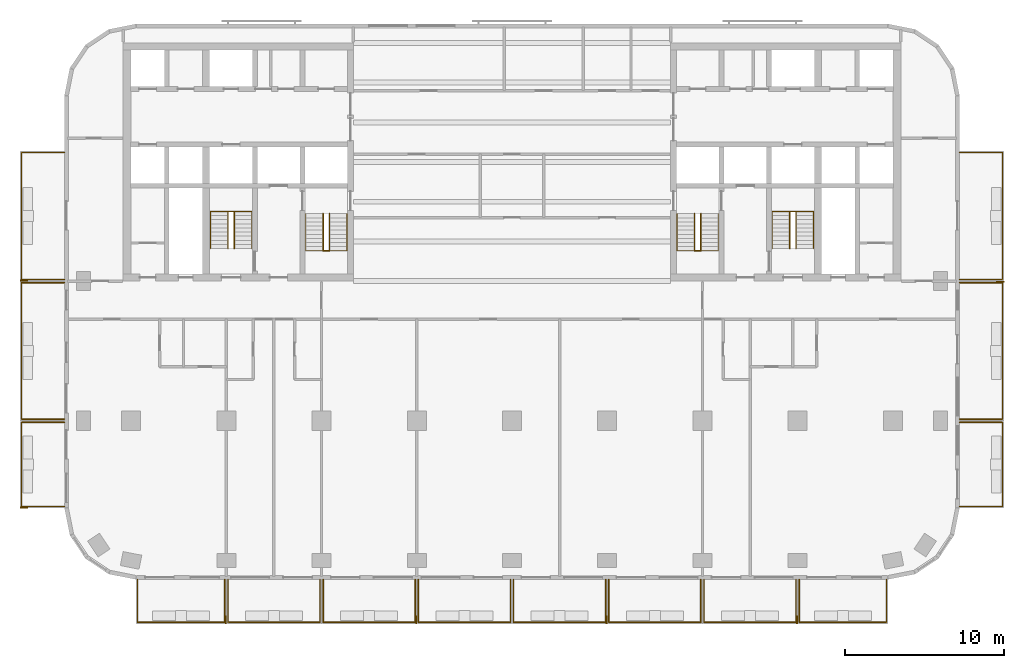
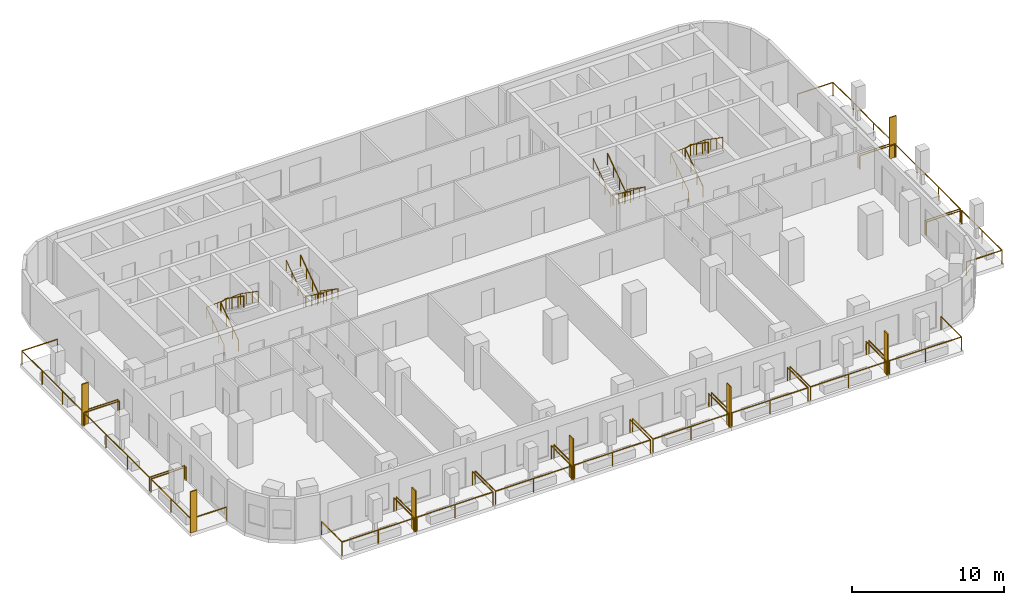
# One storey, part 9 of 11: 22 railings, 7 shading devices.
"""IFC4 building model written with IfcOpenShell, lengths in metres."""

from ifc_helpers import new_model, si_unit, direction, frame, origin, origin_2d, place, context, subcontext, project, spatial, rectangle, circle, extrude, material, layer, layer_set, type_object, element, save


model = new_model("IFC4")

# Units and contexts
model_context = context("Model", 3, precision=1e-05, world=origin(), true_north=direction((0.0, 1.0)))
body_context = subcontext(model_context, "Body", "Model", "MODEL_VIEW")
ifc_project = project(units=[si_unit("LENGTHUNIT", "METRE"), si_unit("AREAUNIT", "SQUARE_METRE"), si_unit("VOLUMEUNIT", "CUBIC_METRE"), si_unit("PLANEANGLEUNIT", "RADIAN"), si_unit("MASSUNIT", "GRAM", prefix="KILO")], contexts=[model_context])

# Site, building, storey
site_placement = place(None, origin())
site = spatial("IfcSite", under=ifc_project, at=site_placement, CompositionType="ELEMENT")
building_placement = place(site_placement, origin())
building = spatial("IfcBuilding", under=site, at=building_placement, Name="Torana Hotel and Residences", CompositionType="ELEMENT")
storey_placement = place(building_placement, frame((0.0, 0.0, 138.0)))
storey = spatial("IfcBuildingStorey", under=building, at=storey_placement, Name="L35", CompositionType="ELEMENT", Elevation=138.0)

# Shading devices
ifc_material_1 = material(Name="Black powder coated aluminium", Category="aluminium")
ifc_layer = layer(ifc_material_1, 0.080078125)
ifc_layer_set = layer_set([ifc_layer], Name="FN1 VERTICAL FIN 500x80")
shading_device_type = type_object("IfcShadingDeviceType", Name="FN1 VERTICAL FIN 500x80", PredefinedType="USERDEFINED", material=ifc_layer_set)
for number, where, z_axis, x_axis, name in (
    (1, (-18.0400390625, -36.35009765625, 0.0), (0.0, 0.0, 1.0), (-1.0, 0.0, 0.0), "Fin 01"),
    (2, (-6.0400390625, -36.35009765625, 0.0), (0.0, 0.0, 1.0), (-1.0, 0.0, 0.0), "Fin 03"),
    (3, (5.9599609375, -36.35009765625, 0.0), (0.0, 0.0, 1.0), (-1.0, 0.0, 0.0), "Fin 05"),
    (4, (17.9599609375, -36.35009765625, 0.0), (0.0, 0.0, 1.0), (-1.0, 0.0, 0.0), "Fin 07"),
    (5, (-30.75, -29.260009765625, 0.0), (0.0, 0.0, 1.0), (0.0, 1.0, 0.0), "Fin 09"),
    (6, (-30.75, -14.9599609375, 0.0), (0.0, 0.0, 1.0), (0.0, 1.0, 0.0), "Fin 11"),
    (7, (30.75, -15.0400390625, 0.0), (0.0, 0.0, 1.0), (0.0, -1.0, 0.0), "Fin 13"),
):
    element("IfcShadingDevice", number, at=place(storey_placement, frame(where, z_axis=z_axis, x_axis=x_axis)), inside=storey, type_object=shading_device_type, Name=name, ObjectType="FIN", PredefinedType="USERDEFINED", context=body_context, shape_type="SweptSolid", body=[
        extrude(rectangle(XDim=0.080078125, YDim=0.5, at=origin_2d()), origin(), (0.0, 0.0, 1.0), 3.320068359375),
    ])

# Railings
ifc_material_2 = material(Name="Laminated glass balustrade with black handrail", Category="glass")
railing_type_1 = type_object("IfcRailingType", Name="GR1 BALCONY GUARD 1100 GLASS", PredefinedType="GUARDRAIL", material=ifc_material_2)
railing_1_placement = place(storey_placement, frame((-18.10009765625, -33.800048828125, 0.0)))
element("IfcRailing", 8, at=railing_1_placement, inside=storey, type_object=railing_type_1, Name="Balcony guard 01", PredefinedType="GUARDRAIL", context=body_context, shape_type="SweptSolid", body=[
    extrude(circle(Radius=0.02392578125, at=origin_2d()), frame((0.0, 0.0, 1.076171875), z_axis=(0.0, -1.0, 0.0), x_axis=(1.0, 0.0, 0.0)), (0.0, 0.0, 1.0), 2.699951171875),
    extrude(circle(Radius=0.02392578125, at=origin_2d()), frame((0.0, -2.699951171875, 1.076171875), z_axis=(-1.0, 0.0, 0.0), x_axis=(0.0, -1.0, 0.0)), (0.0, 0.0, 1.0), 5.5),
    extrude(circle(Radius=0.02392578125, at=origin_2d()), frame((-5.5, -2.699951171875, 1.076171875), z_axis=(0.0, 1.0, 0.0), x_axis=(-1.0, 0.0, 0.0)), (0.0, 0.0, 1.0), 2.699951171875),
    extrude(circle(Radius=0.02099609375, at=origin_2d()), origin(), (0.0, 0.0, 1.0), 1.052001953125),
    extrude(circle(Radius=0.02099609375, at=origin_2d()), frame((0.0, -2.699951171875, 0.0)), (0.0, 0.0, 1.0), 1.052001953125),
    extrude(circle(Radius=0.02099609375, at=origin_2d()), frame((-2.75, -2.699951171875, 0.0)), (0.0, 0.0, 1.0), 1.052001953125),
    extrude(circle(Radius=0.02099609375, at=origin_2d()), frame((-5.5, -2.699951171875, 0.0)), (0.0, 0.0, 1.0), 1.052001953125),
    extrude(circle(Radius=0.02099609375, at=origin_2d()), frame((-5.5, 0.0, 0.0)), (0.0, 0.0, 1.0), 1.052001953125),
])
for number, where, name in (
    (9, (-12.10009765625, -33.800048828125, 0.0), "Balcony guard 02"),
    (10, (-6.10009765625, -33.800048828125, 0.0), "Balcony guard 03"),
    (11, (-0.10009765625, -33.800048828125, 0.0), "Balcony guard 04"),
    (12, (5.89990234375, -33.800048828125, 0.0), "Balcony guard 05"),
    (13, (11.89990234375, -33.800048828125, 0.0), "Balcony guard 06"),
    (14, (17.89990234375, -33.800048828125, 0.0), "Balcony guard 07"),
):
    element("IfcRailing", number, at=place(storey_placement, frame(where)), inside=storey, type_object=railing_type_1, Name=name, PredefinedType="GUARDRAIL", context=body_context, shape_type="SweptSolid", body=[
        extrude(circle(Radius=0.02392578125, at=origin_2d()), frame((0.0, 0.0, 1.076171875), z_axis=(0.0, -1.0, 0.0), x_axis=(1.0, 0.0, 0.0)), (0.0, 0.0, 1.0), 2.699951171875),
        extrude(circle(Radius=0.02392578125, at=origin_2d()), frame((0.0, -2.699951171875, 1.076171875), z_axis=(-1.0, 0.0, 0.0), x_axis=(0.0, -1.0, 0.0)), (0.0, 0.0, 1.0), 5.7998046875),
        extrude(circle(Radius=0.02392578125, at=origin_2d()), frame((-5.7998046875, -2.699951171875, 1.076171875), z_axis=(0.0, 1.0, 0.0), x_axis=(-1.0, 0.0, 0.0)), (0.0, 0.0, 1.0), 2.699951171875),
        extrude(circle(Radius=0.02099609375, at=origin_2d()), origin(), (0.0, 0.0, 1.0), 1.052001953125),
        extrude(circle(Radius=0.02099609375, at=origin_2d()), frame((0.0, -2.699951171875, 0.0)), (0.0, 0.0, 1.0), 1.052001953125),
        extrude(circle(Radius=0.02099609375, at=origin_2d()), frame((-2.89990234375, -2.699951171875, 0.0)), (0.0, 0.0, 1.0), 1.052001953125),
        extrude(circle(Radius=0.02099609375, at=origin_2d()), frame((-5.7998046875, -2.699951171875, 0.0)), (0.0, 0.0, 1.0), 1.052001953125),
        extrude(circle(Radius=0.02099609375, at=origin_2d()), frame((-5.7998046875, 0.0, 0.0)), (0.0, 0.0, 1.0), 1.052001953125),
    ])
railing_2_placement = place(storey_placement, frame((23.60009765625, -33.800048828125, 0.0)))
element("IfcRailing", 15, at=railing_2_placement, inside=storey, type_object=railing_type_1, Name="Balcony guard 08", PredefinedType="GUARDRAIL", context=body_context, shape_type="SweptSolid", body=[
    extrude(circle(Radius=0.02392578125, at=origin_2d()), frame((0.0, 0.0, 1.076171875), z_axis=(0.0, -1.0, 0.0), x_axis=(1.0, 0.0, 0.0)), (0.0, 0.0, 1.0), 2.699951171875),
    extrude(circle(Radius=0.02392578125, at=origin_2d()), frame((0.0, -2.699951171875, 1.076171875), z_axis=(-1.0, 0.0, 0.0), x_axis=(0.0, -1.0, 0.0)), (0.0, 0.0, 1.0), 5.5),
    extrude(circle(Radius=0.02392578125, at=origin_2d()), frame((-5.5, -2.699951171875, 1.076171875), z_axis=(0.0, 1.0, 0.0), x_axis=(-1.0, 0.0, 0.0)), (0.0, 0.0, 1.0), 2.699951171875),
    extrude(circle(Radius=0.02099609375, at=origin_2d()), origin(), (0.0, 0.0, 1.0), 1.052001953125),
    extrude(circle(Radius=0.02099609375, at=origin_2d()), frame((0.0, -2.699951171875, 0.0)), (0.0, 0.0, 1.0), 1.052001953125),
    extrude(circle(Radius=0.02099609375, at=origin_2d()), frame((-2.75, -2.699951171875, 0.0)), (0.0, 0.0, 1.0), 1.052001953125),
    extrude(circle(Radius=0.02099609375, at=origin_2d()), frame((-5.5, -2.699951171875, 0.0)), (0.0, 0.0, 1.0), 1.052001953125),
    extrude(circle(Radius=0.02099609375, at=origin_2d()), frame((-5.5, 0.0, 0.0)), (0.0, 0.0, 1.0), 1.052001953125),
])
railing_3_placement = place(storey_placement, frame((-28.199951171875, -29.199951171875, 0.0)))
element("IfcRailing", 16, at=railing_3_placement, inside=storey, type_object=railing_type_1, Name="Balcony guard 09", PredefinedType="GUARDRAIL", context=body_context, shape_type="SweptSolid", body=[
    extrude(circle(Radius=0.02392578125, at=origin_2d()), frame((0.0, 0.0, 1.076171875), z_axis=(-1.0, 0.0, 0.0), x_axis=(0.0, -1.0, 0.0)), (0.0, 0.0, 1.0), 2.699951171875),
    extrude(circle(Radius=0.02392578125, at=origin_2d()), frame((-2.699951171875, 0.0, 1.076171875), z_axis=(0.0, 1.0, 0.0), x_axis=(-1.0, 0.0, 0.0)), (0.0, 0.0, 1.0), 5.300048828125),
    extrude(circle(Radius=0.02392578125, at=origin_2d()), frame((-2.699951171875, 5.300048828125, 1.076171875), z_axis=(1.0, 0.0, 0.0), x_axis=(0.0, 1.0, 0.0)), (0.0, 0.0, 1.0), 2.699951171875),
    extrude(circle(Radius=0.02099609375, at=origin_2d()), origin(), (0.0, 0.0, 1.0), 1.052001953125),
    extrude(circle(Radius=0.02099609375, at=origin_2d()), frame((-2.699951171875, 0.0, 0.0)), (0.0, 0.0, 1.0), 1.052001953125),
    extrude(circle(Radius=0.02099609375, at=origin_2d()), frame((-2.699951171875, 2.64990234375, 0.0)), (0.0, 0.0, 1.0), 1.052001953125),
    extrude(circle(Radius=0.02099609375, at=origin_2d()), frame((-2.699951171875, 5.300048828125, 0.0)), (0.0, 0.0, 1.0), 1.052001953125),
    extrude(circle(Radius=0.02099609375, at=origin_2d()), frame((0.0, 5.300048828125, 0.0)), (0.0, 0.0, 1.0), 1.052001953125),
])
railing_4_placement = place(storey_placement, frame((-28.199951171875, -23.699951171875, 0.0)))
element("IfcRailing", 17, at=railing_4_placement, inside=storey, type_object=railing_type_1, Name="Balcony guard 10", PredefinedType="GUARDRAIL", context=body_context, shape_type="SweptSolid", body=[
    extrude(circle(Radius=0.02392578125, at=origin_2d()), frame((0.0, 0.0, 1.076171875), z_axis=(-1.0, 0.0, 0.0), x_axis=(0.0, -1.0, 0.0)), (0.0, 0.0, 1.0), 2.699951171875),
    extrude(circle(Radius=0.02392578125, at=origin_2d()), frame((-2.699951171875, 0.0, 1.076171875), z_axis=(0.0, 1.0, 0.0), x_axis=(-1.0, 0.0, 0.0)), (0.0, 0.0, 1.0), 8.599853515625),
    extrude(circle(Radius=0.02392578125, at=origin_2d()), frame((-2.699951171875, 8.599853515625, 1.076171875), z_axis=(1.0, 0.0, 0.0), x_axis=(0.0, 1.0, 0.0)), (0.0, 0.0, 1.0), 2.699951171875),
    extrude(circle(Radius=0.02099609375, at=origin_2d()), origin(), (0.0, 0.0, 1.0), 1.052001953125),
    extrude(circle(Radius=0.02099609375, at=origin_2d()), frame((-2.699951171875, 0.0, 0.0)), (0.0, 0.0, 1.0), 1.052001953125),
    extrude(circle(Radius=0.02099609375, at=origin_2d()), frame((-2.699951171875, 2.86669921875, 0.0)), (0.0, 0.0, 1.0), 1.052001953125),
    extrude(circle(Radius=0.02099609375, at=origin_2d()), frame((-2.699951171875, 5.733154296875, 0.0)), (0.0, 0.0, 1.0), 1.052001953125),
    extrude(circle(Radius=0.02099609375, at=origin_2d()), frame((-2.699951171875, 8.599853515625, 0.0)), (0.0, 0.0, 1.0), 1.052001953125),
    extrude(circle(Radius=0.02099609375, at=origin_2d()), frame((0.0, 8.599853515625, 0.0)), (0.0, 0.0, 1.0), 1.052001953125),
])
railing_5_placement = place(storey_placement, frame((-28.199951171875, -14.89990234375, 0.0)))
element("IfcRailing", 18, at=railing_5_placement, inside=storey, type_object=railing_type_1, Name="Balcony guard 11", PredefinedType="GUARDRAIL", context=body_context, shape_type="SweptSolid", body=[
    extrude(circle(Radius=0.02392578125, at=origin_2d()), frame((0.0, 0.0, 1.076171875), z_axis=(-1.0, 0.0, 0.0), x_axis=(0.0, -1.0, 0.0)), (0.0, 0.0, 1.0), 2.699951171875),
    extrude(circle(Radius=0.02392578125, at=origin_2d()), frame((-2.699951171875, 0.0, 1.076171875), z_axis=(0.0, 1.0, 0.0), x_axis=(-1.0, 0.0, 0.0)), (0.0, 0.0, 1.0), 8.0),
    extrude(circle(Radius=0.02392578125, at=origin_2d()), frame((-2.699951171875, 8.0, 1.076171875), z_axis=(1.0, 0.0, 0.0), x_axis=(0.0, 1.0, 0.0)), (0.0, 0.0, 1.0), 2.699951171875),
    extrude(circle(Radius=0.02099609375, at=origin_2d()), origin(), (0.0, 0.0, 1.0), 1.052001953125),
    extrude(circle(Radius=0.02099609375, at=origin_2d()), frame((-2.699951171875, 0.0, 0.0)), (0.0, 0.0, 1.0), 1.052001953125),
    extrude(circle(Radius=0.02099609375, at=origin_2d()), frame((-2.699951171875, 2.666748046875, 0.0)), (0.0, 0.0, 1.0), 1.052001953125),
    extrude(circle(Radius=0.02099609375, at=origin_2d()), frame((-2.699951171875, 5.333251953125, 0.0)), (0.0, 0.0, 1.0), 1.052001953125),
    extrude(circle(Radius=0.02099609375, at=origin_2d()), frame((-2.699951171875, 8.0, 0.0)), (0.0, 0.0, 1.0), 1.052001953125),
    extrude(circle(Radius=0.02099609375, at=origin_2d()), frame((0.0, 8.0, 0.0)), (0.0, 0.0, 1.0), 1.052001953125),
])
railing_6_placement = place(storey_placement, frame((28.199951171875, -23.89990234375, 0.0)))
element("IfcRailing", 19, at=railing_6_placement, inside=storey, type_object=railing_type_1, Name="Balcony guard 12", PredefinedType="GUARDRAIL", context=body_context, shape_type="SweptSolid", body=[
    extrude(circle(Radius=0.02392578125, at=origin_2d()), frame((0.0, 0.0, 1.076171875), z_axis=(1.0, 0.0, 0.0), x_axis=(0.0, 1.0, 0.0)), (0.0, 0.0, 1.0), 2.699951171875),
    extrude(circle(Radius=0.02392578125, at=origin_2d()), frame((2.699951171875, 0.0, 1.076171875), z_axis=(0.0, -1.0, 0.0), x_axis=(1.0, 0.0, 0.0)), (0.0, 0.0, 1.0), 5.300048828125),
    extrude(circle(Radius=0.02392578125, at=origin_2d()), frame((2.699951171875, -5.300048828125, 1.076171875), z_axis=(-1.0, 0.0, 0.0), x_axis=(0.0, -1.0, 0.0)), (0.0, 0.0, 1.0), 2.699951171875),
    extrude(circle(Radius=0.02099609375, at=origin_2d()), origin(), (0.0, 0.0, 1.0), 1.052001953125),
    extrude(circle(Radius=0.02099609375, at=origin_2d()), frame((2.699951171875, 0.0, 0.0)), (0.0, 0.0, 1.0), 1.052001953125),
    extrude(circle(Radius=0.02099609375, at=origin_2d()), frame((2.699951171875, -2.64990234375, 0.0)), (0.0, 0.0, 1.0), 1.052001953125),
    extrude(circle(Radius=0.02099609375, at=origin_2d()), frame((2.699951171875, -5.300048828125, 0.0)), (0.0, 0.0, 1.0), 1.052001953125),
    extrude(circle(Radius=0.02099609375, at=origin_2d()), frame((0.0, -5.300048828125, 0.0)), (0.0, 0.0, 1.0), 1.052001953125),
])
railing_7_placement = place(storey_placement, frame((28.199951171875, -15.10009765625, 0.0)))
element("IfcRailing", 20, at=railing_7_placement, inside=storey, type_object=railing_type_1, Name="Balcony guard 13", PredefinedType="GUARDRAIL", context=body_context, shape_type="SweptSolid", body=[
    extrude(circle(Radius=0.02392578125, at=origin_2d()), frame((0.0, 0.0, 1.076171875), z_axis=(1.0, 0.0, 0.0), x_axis=(0.0, 1.0, 0.0)), (0.0, 0.0, 1.0), 2.699951171875),
    extrude(circle(Radius=0.02392578125, at=origin_2d()), frame((2.699951171875, 0.0, 1.076171875), z_axis=(0.0, -1.0, 0.0), x_axis=(1.0, 0.0, 0.0)), (0.0, 0.0, 1.0), 8.599853515625),
    extrude(circle(Radius=0.02392578125, at=origin_2d()), frame((2.699951171875, -8.599853515625, 1.076171875), z_axis=(-1.0, 0.0, 0.0), x_axis=(0.0, -1.0, 0.0)), (0.0, 0.0, 1.0), 2.699951171875),
    extrude(circle(Radius=0.02099609375, at=origin_2d()), origin(), (0.0, 0.0, 1.0), 1.052001953125),
    extrude(circle(Radius=0.02099609375, at=origin_2d()), frame((2.699951171875, 0.0, 0.0)), (0.0, 0.0, 1.0), 1.052001953125),
    extrude(circle(Radius=0.02099609375, at=origin_2d()), frame((2.699951171875, -2.86669921875, 0.0)), (0.0, 0.0, 1.0), 1.052001953125),
    extrude(circle(Radius=0.02099609375, at=origin_2d()), frame((2.699951171875, -5.733154296875, 0.0)), (0.0, 0.0, 1.0), 1.052001953125),
    extrude(circle(Radius=0.02099609375, at=origin_2d()), frame((2.699951171875, -8.599853515625, 0.0)), (0.0, 0.0, 1.0), 1.052001953125),
    extrude(circle(Radius=0.02099609375, at=origin_2d()), frame((0.0, -8.599853515625, 0.0)), (0.0, 0.0, 1.0), 1.052001953125),
])
railing_8_placement = place(storey_placement, frame((28.199951171875, -6.89990234375, 0.0)))
element("IfcRailing", 21, at=railing_8_placement, inside=storey, type_object=railing_type_1, Name="Balcony guard 14", PredefinedType="GUARDRAIL", context=body_context, shape_type="SweptSolid", body=[
    extrude(circle(Radius=0.02392578125, at=origin_2d()), frame((0.0, 0.0, 1.076171875), z_axis=(1.0, 0.0, 0.0), x_axis=(0.0, 1.0, 0.0)), (0.0, 0.0, 1.0), 2.699951171875),
    extrude(circle(Radius=0.02392578125, at=origin_2d()), frame((2.699951171875, 0.0, 1.076171875), z_axis=(0.0, -1.0, 0.0), x_axis=(1.0, 0.0, 0.0)), (0.0, 0.0, 1.0), 8.0),
    extrude(circle(Radius=0.02392578125, at=origin_2d()), frame((2.699951171875, -8.0, 1.076171875), z_axis=(-1.0, 0.0, 0.0), x_axis=(0.0, -1.0, 0.0)), (0.0, 0.0, 1.0), 2.699951171875),
    extrude(circle(Radius=0.02099609375, at=origin_2d()), origin(), (0.0, 0.0, 1.0), 1.052001953125),
    extrude(circle(Radius=0.02099609375, at=origin_2d()), frame((2.699951171875, 0.0, 0.0)), (0.0, 0.0, 1.0), 1.052001953125),
    extrude(circle(Radius=0.02099609375, at=origin_2d()), frame((2.699951171875, -2.666748046875, 0.0)), (0.0, 0.0, 1.0), 1.052001953125),
    extrude(circle(Radius=0.02099609375, at=origin_2d()), frame((2.699951171875, -5.333251953125, 0.0)), (0.0, 0.0, 1.0), 1.052001953125),
    extrude(circle(Radius=0.02099609375, at=origin_2d()), frame((2.699951171875, -8.0, 0.0)), (0.0, 0.0, 1.0), 1.052001953125),
    extrude(circle(Radius=0.02099609375, at=origin_2d()), frame((0.0, -8.0, 0.0)), (0.0, 0.0, 1.0), 1.052001953125),
])
ifc_material_3 = material(Name="Stainless steel 316", Category="steel")
railing_type_2 = type_object("IfcRailingType", Name="STAIR HANDRAIL HR1 900", PredefinedType="HANDRAIL", material=ifc_material_3)
railing_9_placement = place(storey_placement, frame((-10.39990234375, -10.75, 0.179931640625)))
element("IfcRailing", 22, at=railing_9_placement, inside=storey, type_object=railing_type_2, Name="Handrail ST1 L35 O1", PredefinedType="HANDRAIL", context=body_context, shape_type="SweptSolid", body=[
    extrude(circle(Radius=0.02392578125, at=origin_2d()), frame((0.0, 0.0, 0.8759765625), z_axis=(0.0, -0.822182927502, 0.569223360136), x_axis=(1.0, 0.0, 0.0)), (0.0, 0.0, 1.0), 2.84619140625),
    extrude(circle(Radius=0.02392578125, at=origin_2d()), frame((0.0, -2.340087890625, 2.49609375), z_axis=(-0.997614115953, 0.0, 0.069036770278), x_axis=(0.0, -1.0, 0.0)), (0.0, 0.0, 1.0), 2.606201171875),
    extrude(circle(Radius=0.02392578125, at=origin_2d()), frame((-2.60009765625, -2.340087890625, 2.67578125), z_axis=(0.0, 0.822182927502, 0.569223360136), x_axis=(-1.0, 0.0, 0.0)), (0.0, 0.0, 1.0), 2.84619140625),
    extrude(circle(Radius=0.02099609375, at=origin_2d()), origin(), (0.0, 0.0, 1.0), 0.851806640625),
    extrude(circle(Radius=0.02099609375, at=origin_2d()), frame((0.0, -0.780029296875, 0.5400390625)), (0.0, 0.0, 1.0), 0.851806640625),
    extrude(circle(Radius=0.02099609375, at=origin_2d()), frame((0.0, -1.56005859375, 1.080078125)), (0.0, 0.0, 1.0), 0.851806640625),
    extrude(circle(Radius=0.02099609375, at=origin_2d()), frame((0.0, -2.340087890625, 1.6201171875)), (0.0, 0.0, 1.0), 0.851806640625),
    extrude(circle(Radius=0.02099609375, at=origin_2d()), frame((-0.86669921875, -2.340087890625, 1.68017578125)), (0.0, 0.0, 1.0), 0.851806640625),
    extrude(circle(Radius=0.02099609375, at=origin_2d()), frame((-1.7333984375, -2.340087890625, 1.739990234375)), (0.0, 0.0, 1.0), 0.851806640625),
    extrude(circle(Radius=0.02099609375, at=origin_2d()), frame((-2.60009765625, -2.340087890625, 1.800048828125)), (0.0, 0.0, 1.0), 0.851806640625),
    extrude(circle(Radius=0.02099609375, at=origin_2d()), frame((-2.60009765625, -1.56005859375, 2.340087890625)), (0.0, 0.0, 1.0), 0.851806640625),
    extrude(circle(Radius=0.02099609375, at=origin_2d()), frame((-2.60009765625, -0.780029296875, 2.880126953125)), (0.0, 0.0, 1.0), 0.851806640625),
    extrude(circle(Radius=0.02099609375, at=origin_2d()), frame((-2.60009765625, 0.0, 3.420166015625)), (0.0, 0.0, 1.0), 0.851806640625),
])
railing_10_placement = place(storey_placement, frame((-11.5, -10.75, 0.179931640625)))
element("IfcRailing", 23, at=railing_10_placement, inside=storey, type_object=railing_type_2, Name="Handrail ST1 L35 I1", PredefinedType="HANDRAIL", context=body_context, shape_type="SweptSolid", body=[
    extrude(circle(Radius=0.02392578125, at=origin_2d()), frame((0.0, 0.0, 0.8759765625), z_axis=(0.0, -0.822182927502, 0.569223360136), x_axis=(1.0, 0.0, 0.0)), (0.0, 0.0, 1.0), 2.84619140625),
    extrude(circle(Radius=0.02392578125, at=origin_2d()), frame((0.0, -2.340087890625, 2.49609375), z_axis=(-0.911942338396, 0.0, 0.410318378143), x_axis=(0.0, -1.0, 0.0)), (0.0, 0.0, 1.0), 0.4384765625),
    extrude(circle(Radius=0.02392578125, at=origin_2d()), frame((-0.39990234375, -2.340087890625, 2.67578125), z_axis=(0.0, 0.822182927502, 0.569223360136), x_axis=(-1.0, 0.0, 0.0)), (0.0, 0.0, 1.0), 2.84619140625),
    extrude(circle(Radius=0.02099609375, at=origin_2d()), origin(), (0.0, 0.0, 1.0), 0.851806640625),
    extrude(circle(Radius=0.02099609375, at=origin_2d()), frame((0.0, -0.780029296875, 0.5400390625)), (0.0, 0.0, 1.0), 0.851806640625),
    extrude(circle(Radius=0.02099609375, at=origin_2d()), frame((0.0, -1.56005859375, 1.080078125)), (0.0, 0.0, 1.0), 0.851806640625),
    extrude(circle(Radius=0.02099609375, at=origin_2d()), frame((0.0, -2.340087890625, 1.6201171875)), (0.0, 0.0, 1.0), 0.851806640625),
    extrude(circle(Radius=0.02099609375, at=origin_2d()), frame((-0.39990234375, -2.340087890625, 1.800048828125)), (0.0, 0.0, 1.0), 0.851806640625),
    extrude(circle(Radius=0.02099609375, at=origin_2d()), frame((-0.39990234375, -1.56005859375, 2.340087890625)), (0.0, 0.0, 1.0), 0.851806640625),
    extrude(circle(Radius=0.02099609375, at=origin_2d()), frame((-0.39990234375, -0.780029296875, 2.880126953125)), (0.0, 0.0, 1.0), 0.851806640625),
    extrude(circle(Radius=0.02099609375, at=origin_2d()), frame((-0.39990234375, 0.0, 3.420166015625)), (0.0, 0.0, 1.0), 0.851806640625),
])
railing_11_placement = place(storey_placement, frame((-19.0, -12.949951171875, 0.179931640625)))
element("IfcRailing", 24, at=railing_11_placement, inside=storey, type_object=railing_type_2, Name="Handrail ST2 L35 O1", PredefinedType="HANDRAIL", context=body_context, shape_type="SweptSolid", body=[
    extrude(circle(Radius=0.02392578125, at=origin_2d()), frame((0.0, 0.0, 0.8759765625), z_axis=(0.0, 0.822155131156, 0.569263506923), x_axis=(-1.0, 0.0, 0.0)), (0.0, 0.0, 1.0), 2.845947265625),
    extrude(circle(Radius=0.02392578125, at=origin_2d()), frame((0.0, 2.33984375, 2.49609375), z_axis=(0.997614115953, 0.0, 0.069036770278), x_axis=(0.0, 1.0, 0.0)), (0.0, 0.0, 1.0), 2.606201171875),
    extrude(circle(Radius=0.02392578125, at=origin_2d()), frame((2.60009765625, 2.33984375, 2.67578125), z_axis=(0.0, -0.822155131156, 0.569263506923), x_axis=(1.0, 0.0, 0.0)), (0.0, 0.0, 1.0), 2.845947265625),
    extrude(circle(Radius=0.02099609375, at=origin_2d()), origin(), (0.0, 0.0, 1.0), 0.851806640625),
    extrude(circle(Radius=0.02099609375, at=origin_2d()), frame((0.0, 0.780029296875, 0.5400390625)), (0.0, 0.0, 1.0), 0.851806640625),
    extrude(circle(Radius=0.02099609375, at=origin_2d()), frame((0.0, 1.559814453125, 1.080078125)), (0.0, 0.0, 1.0), 0.851806640625),
    extrude(circle(Radius=0.02099609375, at=origin_2d()), frame((0.0, 2.33984375, 1.6201171875)), (0.0, 0.0, 1.0), 0.851806640625),
    extrude(circle(Radius=0.02099609375, at=origin_2d()), frame((0.86669921875, 2.33984375, 1.68017578125)), (0.0, 0.0, 1.0), 0.851806640625),
    extrude(circle(Radius=0.02099609375, at=origin_2d()), frame((1.7333984375, 2.33984375, 1.739990234375)), (0.0, 0.0, 1.0), 0.851806640625),
    extrude(circle(Radius=0.02099609375, at=origin_2d()), frame((2.60009765625, 2.33984375, 1.800048828125)), (0.0, 0.0, 1.0), 0.851806640625),
    extrude(circle(Radius=0.02099609375, at=origin_2d()), frame((2.60009765625, 1.559814453125, 2.340087890625)), (0.0, 0.0, 1.0), 0.851806640625),
    extrude(circle(Radius=0.02099609375, at=origin_2d()), frame((2.60009765625, 0.780029296875, 2.880126953125)), (0.0, 0.0, 1.0), 0.851806640625),
    extrude(circle(Radius=0.02099609375, at=origin_2d()), frame((2.60009765625, 0.0, 3.420166015625)), (0.0, 0.0, 1.0), 0.851806640625),
])
railing_12_placement = place(storey_placement, frame((-17.89990234375, -12.949951171875, 0.179931640625)))
element("IfcRailing", 25, at=railing_12_placement, inside=storey, type_object=railing_type_2, Name="Handrail ST2 L35 I1", PredefinedType="HANDRAIL", context=body_context, shape_type="SweptSolid", body=[
    extrude(circle(Radius=0.02392578125, at=origin_2d()), frame((0.0, 0.0, 0.8759765625), z_axis=(0.0, 0.822155131156, 0.569263506923), x_axis=(-1.0, 0.0, 0.0)), (0.0, 0.0, 1.0), 2.845947265625),
    extrude(circle(Radius=0.02392578125, at=origin_2d()), frame((0.0, 2.33984375, 2.49609375), z_axis=(0.911942338396, 0.0, 0.410318378143), x_axis=(0.0, 1.0, 0.0)), (0.0, 0.0, 1.0), 0.4384765625),
    extrude(circle(Radius=0.02392578125, at=origin_2d()), frame((0.39990234375, 2.33984375, 2.67578125), z_axis=(0.0, -0.822155131156, 0.569263506923), x_axis=(1.0, 0.0, 0.0)), (0.0, 0.0, 1.0), 2.845947265625),
    extrude(circle(Radius=0.02099609375, at=origin_2d()), origin(), (0.0, 0.0, 1.0), 0.851806640625),
    extrude(circle(Radius=0.02099609375, at=origin_2d()), frame((0.0, 0.780029296875, 0.5400390625)), (0.0, 0.0, 1.0), 0.851806640625),
    extrude(circle(Radius=0.02099609375, at=origin_2d()), frame((0.0, 1.559814453125, 1.080078125)), (0.0, 0.0, 1.0), 0.851806640625),
    extrude(circle(Radius=0.02099609375, at=origin_2d()), frame((0.0, 2.33984375, 1.6201171875)), (0.0, 0.0, 1.0), 0.851806640625),
    extrude(circle(Radius=0.02099609375, at=origin_2d()), frame((0.39990234375, 2.33984375, 1.800048828125)), (0.0, 0.0, 1.0), 0.851806640625),
    extrude(circle(Radius=0.02099609375, at=origin_2d()), frame((0.39990234375, 1.559814453125, 2.340087890625)), (0.0, 0.0, 1.0), 0.851806640625),
    extrude(circle(Radius=0.02099609375, at=origin_2d()), frame((0.39990234375, 0.780029296875, 2.880126953125)), (0.0, 0.0, 1.0), 0.851806640625),
    extrude(circle(Radius=0.02099609375, at=origin_2d()), frame((0.39990234375, 0.0, 3.420166015625)), (0.0, 0.0, 1.0), 0.851806640625),
])
railing_13_placement = place(storey_placement, frame((13.0, -10.75, 0.179931640625)))
element("IfcRailing", 26, at=railing_13_placement, inside=storey, type_object=railing_type_2, Name="Handrail ST3 L35 O1", PredefinedType="HANDRAIL", context=body_context, shape_type="SweptSolid", body=[
    extrude(circle(Radius=0.02392578125, at=origin_2d()), frame((0.0, 0.0, 0.8759765625), z_axis=(0.0, -0.822182927502, 0.569223360136), x_axis=(1.0, 0.0, 0.0)), (0.0, 0.0, 1.0), 2.84619140625),
    extrude(circle(Radius=0.02392578125, at=origin_2d()), frame((0.0, -2.340087890625, 2.49609375), z_axis=(-0.997614115953, 0.0, 0.069036770278), x_axis=(0.0, -1.0, 0.0)), (0.0, 0.0, 1.0), 2.606201171875),
    extrude(circle(Radius=0.02392578125, at=origin_2d()), frame((-2.60009765625, -2.340087890625, 2.67578125), z_axis=(0.0, 0.822182927502, 0.569223360136), x_axis=(-1.0, 0.0, 0.0)), (0.0, 0.0, 1.0), 2.84619140625),
    extrude(circle(Radius=0.02099609375, at=origin_2d()), origin(), (0.0, 0.0, 1.0), 0.851806640625),
    extrude(circle(Radius=0.02099609375, at=origin_2d()), frame((0.0, -0.780029296875, 0.5400390625)), (0.0, 0.0, 1.0), 0.851806640625),
    extrude(circle(Radius=0.02099609375, at=origin_2d()), frame((0.0, -1.56005859375, 1.080078125)), (0.0, 0.0, 1.0), 0.851806640625),
    extrude(circle(Radius=0.02099609375, at=origin_2d()), frame((0.0, -2.340087890625, 1.6201171875)), (0.0, 0.0, 1.0), 0.851806640625),
    extrude(circle(Radius=0.02099609375, at=origin_2d()), frame((-0.86669921875, -2.340087890625, 1.68017578125)), (0.0, 0.0, 1.0), 0.851806640625),
    extrude(circle(Radius=0.02099609375, at=origin_2d()), frame((-1.7333984375, -2.340087890625, 1.739990234375)), (0.0, 0.0, 1.0), 0.851806640625),
    extrude(circle(Radius=0.02099609375, at=origin_2d()), frame((-2.60009765625, -2.340087890625, 1.800048828125)), (0.0, 0.0, 1.0), 0.851806640625),
    extrude(circle(Radius=0.02099609375, at=origin_2d()), frame((-2.60009765625, -1.56005859375, 2.340087890625)), (0.0, 0.0, 1.0), 0.851806640625),
    extrude(circle(Radius=0.02099609375, at=origin_2d()), frame((-2.60009765625, -0.780029296875, 2.880126953125)), (0.0, 0.0, 1.0), 0.851806640625),
    extrude(circle(Radius=0.02099609375, at=origin_2d()), frame((-2.60009765625, 0.0, 3.420166015625)), (0.0, 0.0, 1.0), 0.851806640625),
])
railing_14_placement = place(storey_placement, frame((11.89990234375, -10.75, 0.179931640625)))
element("IfcRailing", 27, at=railing_14_placement, inside=storey, type_object=railing_type_2, Name="Handrail ST3 L35 I1", PredefinedType="HANDRAIL", context=body_context, shape_type="SweptSolid", body=[
    extrude(circle(Radius=0.02392578125, at=origin_2d()), frame((0.0, 0.0, 0.8759765625), z_axis=(0.0, -0.822182927502, 0.569223360136), x_axis=(1.0, 0.0, 0.0)), (0.0, 0.0, 1.0), 2.84619140625),
    extrude(circle(Radius=0.02392578125, at=origin_2d()), frame((0.0, -2.340087890625, 2.49609375), z_axis=(-0.911942338396, 0.0, 0.410318378143), x_axis=(0.0, -1.0, 0.0)), (0.0, 0.0, 1.0), 0.4384765625),
    extrude(circle(Radius=0.02392578125, at=origin_2d()), frame((-0.39990234375, -2.340087890625, 2.67578125), z_axis=(0.0, 0.822182927502, 0.569223360136), x_axis=(-1.0, 0.0, 0.0)), (0.0, 0.0, 1.0), 2.84619140625),
    extrude(circle(Radius=0.02099609375, at=origin_2d()), origin(), (0.0, 0.0, 1.0), 0.851806640625),
    extrude(circle(Radius=0.02099609375, at=origin_2d()), frame((0.0, -0.780029296875, 0.5400390625)), (0.0, 0.0, 1.0), 0.851806640625),
    extrude(circle(Radius=0.02099609375, at=origin_2d()), frame((0.0, -1.56005859375, 1.080078125)), (0.0, 0.0, 1.0), 0.851806640625),
    extrude(circle(Radius=0.02099609375, at=origin_2d()), frame((0.0, -2.340087890625, 1.6201171875)), (0.0, 0.0, 1.0), 0.851806640625),
    extrude(circle(Radius=0.02099609375, at=origin_2d()), frame((-0.39990234375, -2.340087890625, 1.800048828125)), (0.0, 0.0, 1.0), 0.851806640625),
    extrude(circle(Radius=0.02099609375, at=origin_2d()), frame((-0.39990234375, -1.56005859375, 2.340087890625)), (0.0, 0.0, 1.0), 0.851806640625),
    extrude(circle(Radius=0.02099609375, at=origin_2d()), frame((-0.39990234375, -0.780029296875, 2.880126953125)), (0.0, 0.0, 1.0), 0.851806640625),
    extrude(circle(Radius=0.02099609375, at=origin_2d()), frame((-0.39990234375, 0.0, 3.420166015625)), (0.0, 0.0, 1.0), 0.851806640625),
])
railing_15_placement = place(storey_placement, frame((16.39990234375, -12.949951171875, 0.179931640625)))
element("IfcRailing", 28, at=railing_15_placement, inside=storey, type_object=railing_type_2, Name="Handrail ST4 L35 O1", PredefinedType="HANDRAIL", context=body_context, shape_type="SweptSolid", body=[
    extrude(circle(Radius=0.02392578125, at=origin_2d()), frame((0.0, 0.0, 0.8759765625), z_axis=(0.0, 0.822155131156, 0.569263506923), x_axis=(-1.0, 0.0, 0.0)), (0.0, 0.0, 1.0), 2.845947265625),
    extrude(circle(Radius=0.02392578125, at=origin_2d()), frame((0.0, 2.33984375, 2.49609375), z_axis=(0.997614115953, 0.0, 0.069036770278), x_axis=(0.0, 1.0, 0.0)), (0.0, 0.0, 1.0), 2.606201171875),
    extrude(circle(Radius=0.02392578125, at=origin_2d()), frame((2.60009765625, 2.33984375, 2.67578125), z_axis=(0.0, -0.822155131156, 0.569263506923), x_axis=(1.0, 0.0, 0.0)), (0.0, 0.0, 1.0), 2.845947265625),
    extrude(circle(Radius=0.02099609375, at=origin_2d()), origin(), (0.0, 0.0, 1.0), 0.851806640625),
    extrude(circle(Radius=0.02099609375, at=origin_2d()), frame((0.0, 0.780029296875, 0.5400390625)), (0.0, 0.0, 1.0), 0.851806640625),
    extrude(circle(Radius=0.02099609375, at=origin_2d()), frame((0.0, 1.559814453125, 1.080078125)), (0.0, 0.0, 1.0), 0.851806640625),
    extrude(circle(Radius=0.02099609375, at=origin_2d()), frame((0.0, 2.33984375, 1.6201171875)), (0.0, 0.0, 1.0), 0.851806640625),
    extrude(circle(Radius=0.02099609375, at=origin_2d()), frame((0.86669921875, 2.33984375, 1.68017578125)), (0.0, 0.0, 1.0), 0.851806640625),
    extrude(circle(Radius=0.02099609375, at=origin_2d()), frame((1.7333984375, 2.33984375, 1.739990234375)), (0.0, 0.0, 1.0), 0.851806640625),
    extrude(circle(Radius=0.02099609375, at=origin_2d()), frame((2.60009765625, 2.33984375, 1.800048828125)), (0.0, 0.0, 1.0), 0.851806640625),
    extrude(circle(Radius=0.02099609375, at=origin_2d()), frame((2.60009765625, 1.559814453125, 2.340087890625)), (0.0, 0.0, 1.0), 0.851806640625),
    extrude(circle(Radius=0.02099609375, at=origin_2d()), frame((2.60009765625, 0.780029296875, 2.880126953125)), (0.0, 0.0, 1.0), 0.851806640625),
    extrude(circle(Radius=0.02099609375, at=origin_2d()), frame((2.60009765625, 0.0, 3.420166015625)), (0.0, 0.0, 1.0), 0.851806640625),
])
railing_16_placement = place(storey_placement, frame((17.5, -12.949951171875, 0.179931640625)))
element("IfcRailing", 29, at=railing_16_placement, inside=storey, type_object=railing_type_2, Name="Handrail ST4 L35 I1", PredefinedType="HANDRAIL", context=body_context, shape_type="SweptSolid", body=[
    extrude(circle(Radius=0.02392578125, at=origin_2d()), frame((0.0, 0.0, 0.8759765625), z_axis=(0.0, 0.822155131156, 0.569263506923), x_axis=(-1.0, 0.0, 0.0)), (0.0, 0.0, 1.0), 2.845947265625),
    extrude(circle(Radius=0.02392578125, at=origin_2d()), frame((0.0, 2.33984375, 2.49609375), z_axis=(0.911942338396, 0.0, 0.410318378143), x_axis=(0.0, 1.0, 0.0)), (0.0, 0.0, 1.0), 0.4384765625),
    extrude(circle(Radius=0.02392578125, at=origin_2d()), frame((0.39990234375, 2.33984375, 2.67578125), z_axis=(0.0, -0.822155131156, 0.569263506923), x_axis=(1.0, 0.0, 0.0)), (0.0, 0.0, 1.0), 2.845947265625),
    extrude(circle(Radius=0.02099609375, at=origin_2d()), origin(), (0.0, 0.0, 1.0), 0.851806640625),
    extrude(circle(Radius=0.02099609375, at=origin_2d()), frame((0.0, 0.780029296875, 0.5400390625)), (0.0, 0.0, 1.0), 0.851806640625),
    extrude(circle(Radius=0.02099609375, at=origin_2d()), frame((0.0, 1.559814453125, 1.080078125)), (0.0, 0.0, 1.0), 0.851806640625),
    extrude(circle(Radius=0.02099609375, at=origin_2d()), frame((0.0, 2.33984375, 1.6201171875)), (0.0, 0.0, 1.0), 0.851806640625),
    extrude(circle(Radius=0.02099609375, at=origin_2d()), frame((0.39990234375, 2.33984375, 1.800048828125)), (0.0, 0.0, 1.0), 0.851806640625),
    extrude(circle(Radius=0.02099609375, at=origin_2d()), frame((0.39990234375, 1.559814453125, 2.340087890625)), (0.0, 0.0, 1.0), 0.851806640625),
    extrude(circle(Radius=0.02099609375, at=origin_2d()), frame((0.39990234375, 0.780029296875, 2.880126953125)), (0.0, 0.0, 1.0), 0.851806640625),
    extrude(circle(Radius=0.02099609375, at=origin_2d()), frame((0.39990234375, 0.0, 3.420166015625)), (0.0, 0.0, 1.0), 0.851806640625),
])

save(model, "model.ifc")
